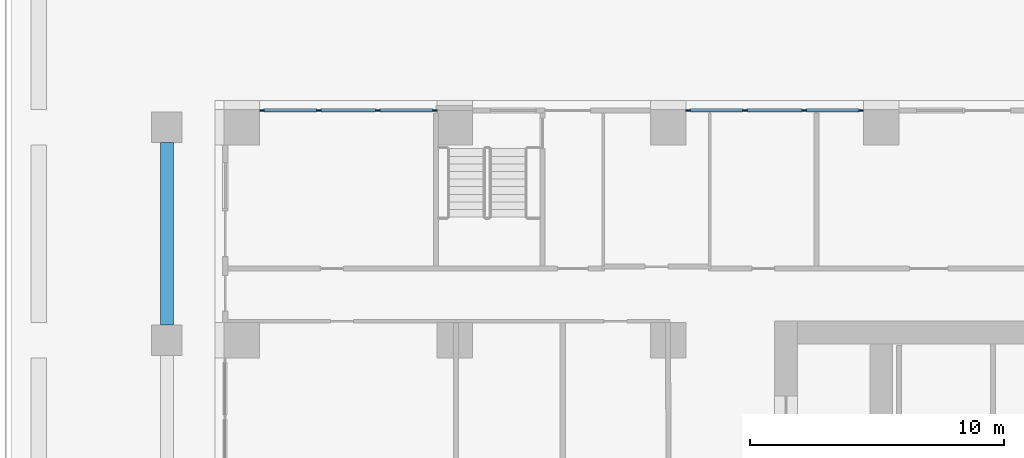
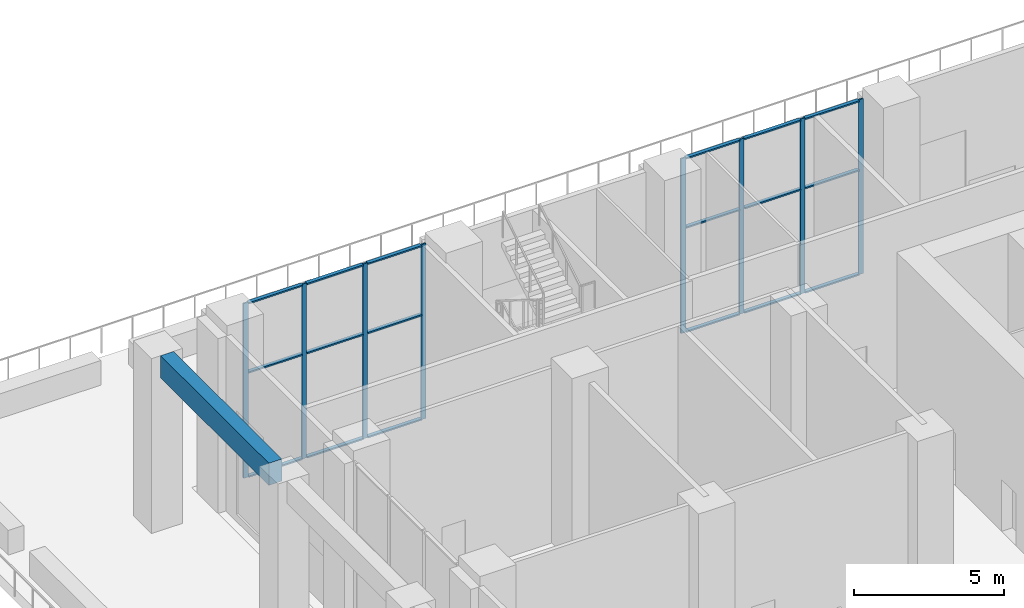
# One storey, part 11 of 53: 26 members, 1 beam, 2 elements without a shape of their own.
"""IFC4 building model written with IfcOpenShell, lengths in metres."""

from ifc_helpers import new_model, si_unit, direction, frame, origin, origin_2d, place, context, subcontext, project, spatial, rectangle, extrude, material, material_profile, profile_set, type_object, element, aggregate, save


model = new_model("IFC4")

# Units and contexts
model_context = context("Model", 3, precision=1e-05, world=origin(), true_north=direction((0.0, 1.0)))
body_context = subcontext(model_context, "Body", "Model", "MODEL_VIEW")
ifc_project = project(units=[si_unit("LENGTHUNIT", "METRE"), si_unit("AREAUNIT", "SQUARE_METRE"), si_unit("VOLUMEUNIT", "CUBIC_METRE"), si_unit("PLANEANGLEUNIT", "RADIAN"), si_unit("MASSUNIT", "GRAM", prefix="KILO")], contexts=[model_context])

# Site, building, storey
site_placement = place(None, origin())
site = spatial("IfcSite", under=ifc_project, at=site_placement, CompositionType="ELEMENT")
building_placement = place(site_placement, origin())
building = spatial("IfcBuilding", under=site, at=building_placement, Name="Vermilion Ogive Tower", CompositionType="ELEMENT")
storey_placement = place(building_placement, origin())
storey = spatial("IfcBuildingStorey", under=building, at=storey_placement, Name="L00", CompositionType="ELEMENT", Elevation=0.0)

# Curtain wall, members
ifc_material_1 = material(Name="Clear double glazing in aluminium frame", Category="aluminium")
curtain_wall_type = type_object("IfcCurtainWallType", Name="Curtain wall CW1", PredefinedType="NOTDEFINED", material=ifc_material_1)
curtain_wall_1_placement = place(storey_placement, origin())
curtain_wall_1 = element("IfcCurtainWall", 1, at=curtain_wall_1_placement, inside=storey, type_object=curtain_wall_type, Name="CW1 shopfront glazing N8", PredefinedType="NOTDEFINED")
ifc_material_2 = material(Name="Aluminium mullion", Category="aluminium")
ifc_material_profile_1 = material_profile(ifc_material_2, rectangle(XDim=0.06005859375, YDim=0.179931640625, at=origin_2d()), Name="AL 60x180")
ifc_profile_set_1 = profile_set([ifc_material_profile_1], Name="Aluminium mullion")
member_type_1 = type_object("IfcMemberType", Name="CW1 mullion 60x180", PredefinedType="MULLION", material=ifc_profile_set_1)
member_1_placement = place(storey_placement, frame((-9.18994140625, 30.06005859375, 0.0), z_axis=(0.0, 0.0, 1.0), x_axis=(0.0, -1.0, 0.0)))
member_1 = element("IfcMember", 2, at=member_1_placement, type_object=member_type_1, Name="CW1-N8 mullion 1", PredefinedType="MULLION", context=body_context, shape_type="SweptSolid", body=[
    extrude(rectangle(XDim=0.06005859375, YDim=0.179931640625, at=origin_2d()), origin(), (0.0, 0.0, 1.0), 7.10009765625),
])
member_2_placement = place(storey_placement, frame((-11.433349609375, 30.06005859375, 0.0), z_axis=(0.0, 0.0, 1.0), x_axis=(0.0, -1.0, 0.0)))
member_2 = element("IfcMember", 3, at=member_2_placement, type_object=member_type_1, Name="CW1-N8 mullion 2", PredefinedType="MULLION", context=body_context, shape_type="SweptSolid", body=[
    extrude(rectangle(XDim=0.06005859375, YDim=0.179931640625, at=origin_2d()), origin(), (0.0, 0.0, 1.0), 7.10009765625),
])
member_3_placement = place(storey_placement, frame((-13.7666015625, 30.06005859375, 0.0), z_axis=(0.0, 0.0, 1.0), x_axis=(0.0, -1.0, 0.0)))
member_3 = element("IfcMember", 4, at=member_3_placement, type_object=member_type_1, Name="CW1-N8 mullion 3", PredefinedType="MULLION", context=body_context, shape_type="SweptSolid", body=[
    extrude(rectangle(XDim=0.06005859375, YDim=0.179931640625, at=origin_2d()), origin(), (0.0, 0.0, 1.0), 7.10009765625),
])
member_4_placement = place(storey_placement, frame((-16.010009765625, 30.06005859375, 0.0), z_axis=(0.0, 0.0, 1.0), x_axis=(0.0, -1.0, 0.0)))
member_4 = element("IfcMember", 5, at=member_4_placement, type_object=member_type_1, Name="CW1-N8 mullion 4", PredefinedType="MULLION", context=body_context, shape_type="SweptSolid", body=[
    extrude(rectangle(XDim=0.06005859375, YDim=0.179931640625, at=origin_2d()), origin(), (0.0, 0.0, 1.0), 7.10009765625),
])

curtain_wall_2_placement = place(storey_placement, origin())
curtain_wall_2 = element("IfcCurtainWall", 6, at=curtain_wall_2_placement, inside=storey, type_object=curtain_wall_type, Name="CW1 shopfront glazing N10", PredefinedType="NOTDEFINED")
member_5_placement = place(storey_placement, frame((-25.989990234375, 30.06005859375, 0.0), z_axis=(0.0, 0.0, 1.0), x_axis=(0.0, -1.0, 0.0)))
member_5 = element("IfcMember", 7, at=member_5_placement, type_object=member_type_1, Name="CW1-N10 mullion 1", PredefinedType="MULLION", context=body_context, shape_type="SweptSolid", body=[
    extrude(rectangle(XDim=0.06005859375, YDim=0.179931640625, at=origin_2d()), origin(), (0.0, 0.0, 1.0), 7.10009765625),
])
member_6_placement = place(storey_placement, frame((-28.2333984375, 30.06005859375, 0.0), z_axis=(0.0, 0.0, 1.0), x_axis=(0.0, -1.0, 0.0)))
member_6 = element("IfcMember", 8, at=member_6_placement, type_object=member_type_1, Name="CW1-N10 mullion 2", PredefinedType="MULLION", context=body_context, shape_type="SweptSolid", body=[
    extrude(rectangle(XDim=0.06005859375, YDim=0.179931640625, at=origin_2d()), origin(), (0.0, 0.0, 1.0), 7.10009765625),
])
member_7_placement = place(storey_placement, frame((-30.566650390625, 30.06005859375, 0.0), z_axis=(0.0, 0.0, 1.0), x_axis=(0.0, -1.0, 0.0)))
member_7 = element("IfcMember", 9, at=member_7_placement, type_object=member_type_1, Name="CW1-N10 mullion 3", PredefinedType="MULLION", context=body_context, shape_type="SweptSolid", body=[
    extrude(rectangle(XDim=0.06005859375, YDim=0.179931640625, at=origin_2d()), origin(), (0.0, 0.0, 1.0), 7.10009765625),
])
member_8_placement = place(storey_placement, frame((-32.81005859375, 30.06005859375, 0.0), z_axis=(0.0, 0.0, 1.0), x_axis=(0.0, -1.0, 0.0)))
member_8 = element("IfcMember", 10, at=member_8_placement, type_object=member_type_1, Name="CW1-N10 mullion 4", PredefinedType="MULLION", context=body_context, shape_type="SweptSolid", body=[
    extrude(rectangle(XDim=0.06005859375, YDim=0.179931640625, at=origin_2d()), origin(), (0.0, 0.0, 1.0), 7.10009765625),
])

# Member
ifc_material_3 = material(Name="Aluminium transom", Category="aluminium")
ifc_material_profile_2 = material_profile(ifc_material_3, rectangle(XDim=0.139892578125, YDim=0.06005859375, at=origin_2d()), Name="AL 60x140")
ifc_profile_set_2 = profile_set([ifc_material_profile_2], Name="Aluminium transom")
member_type_2 = type_object("IfcMemberType", Name="CW1 transom 60x140", PredefinedType="USERDEFINED", material=ifc_profile_set_2)
member_9_placement = place(storey_placement, frame((-9.280029296875, 30.06005859375, 0.030029296875), z_axis=(-1.0, 0.0, 0.0), x_axis=(0.0, -1.0, 0.0)))
member_9 = element("IfcMember", 11, at=member_9_placement, type_object=member_type_2, Name="CW1-N8 transom 1.1", ObjectType="TRANSOM", PredefinedType="USERDEFINED", context=body_context, shape_type="SweptSolid", body=[
    extrude(rectangle(XDim=0.139892578125, YDim=0.06005859375, at=origin_2d()), origin(), (0.0, 0.0, 1.0), 2.063232421875),
])

member_10_placement = place(storey_placement, frame((-9.280029296875, 30.06005859375, 4.260009765625), z_axis=(-1.0, 0.0, 0.0), x_axis=(0.0, -1.0, 0.0)))
member_10 = element("IfcMember", 12, at=member_10_placement, type_object=member_type_2, Name="CW1-N8 transom 1.2", ObjectType="TRANSOM", PredefinedType="USERDEFINED", context=body_context, shape_type="SweptSolid", body=[
    extrude(rectangle(XDim=0.139892578125, YDim=0.06005859375, at=origin_2d()), origin(), (0.0, 0.0, 1.0), 2.063232421875),
])

member_11_placement = place(storey_placement, frame((-9.280029296875, 30.06005859375, 7.070068359375), z_axis=(-1.0, 0.0, 0.0), x_axis=(0.0, -1.0, 0.0)))
member_11 = element("IfcMember", 13, at=member_11_placement, type_object=member_type_2, Name="CW1-N8 transom 1.3", ObjectType="TRANSOM", PredefinedType="USERDEFINED", context=body_context, shape_type="SweptSolid", body=[
    extrude(rectangle(XDim=0.139892578125, YDim=0.06005859375, at=origin_2d()), origin(), (0.0, 0.0, 1.0), 2.063232421875),
])

member_12_placement = place(storey_placement, frame((-11.5234375, 30.06005859375, 0.030029296875), z_axis=(-1.0, 0.0, 0.0), x_axis=(0.0, -1.0, 0.0)))
member_12 = element("IfcMember", 14, at=member_12_placement, type_object=member_type_2, Name="CW1-N8 transom 2.1", ObjectType="TRANSOM", PredefinedType="USERDEFINED", context=body_context, shape_type="SweptSolid", body=[
    extrude(rectangle(XDim=0.139892578125, YDim=0.06005859375, at=origin_2d()), origin(), (0.0, 0.0, 1.0), 2.1533203125),
])

member_13_placement = place(storey_placement, frame((-11.5234375, 30.06005859375, 4.260009765625), z_axis=(-1.0, 0.0, 0.0), x_axis=(0.0, -1.0, 0.0)))
member_13 = element("IfcMember", 15, at=member_13_placement, type_object=member_type_2, Name="CW1-N8 transom 2.2", ObjectType="TRANSOM", PredefinedType="USERDEFINED", context=body_context, shape_type="SweptSolid", body=[
    extrude(rectangle(XDim=0.139892578125, YDim=0.06005859375, at=origin_2d()), origin(), (0.0, 0.0, 1.0), 2.1533203125),
])

member_14_placement = place(storey_placement, frame((-11.5234375, 30.06005859375, 7.070068359375), z_axis=(-1.0, 0.0, 0.0), x_axis=(0.0, -1.0, 0.0)))
member_14 = element("IfcMember", 16, at=member_14_placement, type_object=member_type_2, Name="CW1-N8 transom 2.3", ObjectType="TRANSOM", PredefinedType="USERDEFINED", context=body_context, shape_type="SweptSolid", body=[
    extrude(rectangle(XDim=0.139892578125, YDim=0.06005859375, at=origin_2d()), origin(), (0.0, 0.0, 1.0), 2.1533203125),
])

member_15_placement = place(storey_placement, frame((-13.856689453125, 30.06005859375, 0.030029296875), z_axis=(-1.0, 0.0, 0.0), x_axis=(0.0, -1.0, 0.0)))
member_15 = element("IfcMember", 17, at=member_15_placement, type_object=member_type_2, Name="CW1-N8 transom 3.1", ObjectType="TRANSOM", PredefinedType="USERDEFINED", context=body_context, shape_type="SweptSolid", body=[
    extrude(rectangle(XDim=0.139892578125, YDim=0.06005859375, at=origin_2d()), origin(), (0.0, 0.0, 1.0), 2.063232421875),
])

member_16_placement = place(storey_placement, frame((-13.856689453125, 30.06005859375, 4.260009765625), z_axis=(-1.0, 0.0, 0.0), x_axis=(0.0, -1.0, 0.0)))
member_16 = element("IfcMember", 18, at=member_16_placement, type_object=member_type_2, Name="CW1-N8 transom 3.2", ObjectType="TRANSOM", PredefinedType="USERDEFINED", context=body_context, shape_type="SweptSolid", body=[
    extrude(rectangle(XDim=0.139892578125, YDim=0.06005859375, at=origin_2d()), origin(), (0.0, 0.0, 1.0), 2.063232421875),
])

member_17_placement = place(storey_placement, frame((-13.856689453125, 30.06005859375, 7.070068359375), z_axis=(-1.0, 0.0, 0.0), x_axis=(0.0, -1.0, 0.0)))
member_17 = element("IfcMember", 19, at=member_17_placement, type_object=member_type_2, Name="CW1-N8 transom 3.3", ObjectType="TRANSOM", PredefinedType="USERDEFINED", context=body_context, shape_type="SweptSolid", body=[
    extrude(rectangle(XDim=0.139892578125, YDim=0.06005859375, at=origin_2d()), origin(), (0.0, 0.0, 1.0), 2.063232421875),
])

aggregate(curtain_wall_1, [member_1, member_2, member_3, member_4, member_9, member_10, member_11, member_12, member_13, member_14, member_15, member_16, member_17])

member_18_placement = place(storey_placement, frame((-26.080078125, 30.06005859375, 0.030029296875), z_axis=(-1.0, 0.0, 0.0), x_axis=(0.0, -1.0, 0.0)))
member_18 = element("IfcMember", 20, at=member_18_placement, type_object=member_type_2, Name="CW1-N10 transom 1.1", ObjectType="TRANSOM", PredefinedType="USERDEFINED", context=body_context, shape_type="SweptSolid", body=[
    extrude(rectangle(XDim=0.139892578125, YDim=0.06005859375, at=origin_2d()), origin(), (0.0, 0.0, 1.0), 2.063232421875),
])

member_19_placement = place(storey_placement, frame((-26.080078125, 30.06005859375, 4.260009765625), z_axis=(-1.0, 0.0, 0.0), x_axis=(0.0, -1.0, 0.0)))
member_19 = element("IfcMember", 21, at=member_19_placement, type_object=member_type_2, Name="CW1-N10 transom 1.2", ObjectType="TRANSOM", PredefinedType="USERDEFINED", context=body_context, shape_type="SweptSolid", body=[
    extrude(rectangle(XDim=0.139892578125, YDim=0.06005859375, at=origin_2d()), origin(), (0.0, 0.0, 1.0), 2.063232421875),
])

member_20_placement = place(storey_placement, frame((-26.080078125, 30.06005859375, 7.070068359375), z_axis=(-1.0, 0.0, 0.0), x_axis=(0.0, -1.0, 0.0)))
member_20 = element("IfcMember", 22, at=member_20_placement, type_object=member_type_2, Name="CW1-N10 transom 1.3", ObjectType="TRANSOM", PredefinedType="USERDEFINED", context=body_context, shape_type="SweptSolid", body=[
    extrude(rectangle(XDim=0.139892578125, YDim=0.06005859375, at=origin_2d()), origin(), (0.0, 0.0, 1.0), 2.063232421875),
])

member_21_placement = place(storey_placement, frame((-28.3232421875, 30.06005859375, 0.030029296875), z_axis=(-1.0, 0.0, 0.0), x_axis=(0.0, -1.0, 0.0)))
member_21 = element("IfcMember", 23, at=member_21_placement, type_object=member_type_2, Name="CW1-N10 transom 2.1", ObjectType="TRANSOM", PredefinedType="USERDEFINED", context=body_context, shape_type="SweptSolid", body=[
    extrude(rectangle(XDim=0.139892578125, YDim=0.06005859375, at=origin_2d()), origin(), (0.0, 0.0, 1.0), 2.1533203125),
])

member_22_placement = place(storey_placement, frame((-28.3232421875, 30.06005859375, 4.260009765625), z_axis=(-1.0, 0.0, 0.0), x_axis=(0.0, -1.0, 0.0)))
member_22 = element("IfcMember", 24, at=member_22_placement, type_object=member_type_2, Name="CW1-N10 transom 2.2", ObjectType="TRANSOM", PredefinedType="USERDEFINED", context=body_context, shape_type="SweptSolid", body=[
    extrude(rectangle(XDim=0.139892578125, YDim=0.06005859375, at=origin_2d()), origin(), (0.0, 0.0, 1.0), 2.1533203125),
])

member_23_placement = place(storey_placement, frame((-28.3232421875, 30.06005859375, 7.070068359375), z_axis=(-1.0, 0.0, 0.0), x_axis=(0.0, -1.0, 0.0)))
member_23 = element("IfcMember", 25, at=member_23_placement, type_object=member_type_2, Name="CW1-N10 transom 2.3", ObjectType="TRANSOM", PredefinedType="USERDEFINED", context=body_context, shape_type="SweptSolid", body=[
    extrude(rectangle(XDim=0.139892578125, YDim=0.06005859375, at=origin_2d()), origin(), (0.0, 0.0, 1.0), 2.1533203125),
])

member_24_placement = place(storey_placement, frame((-30.65673828125, 30.06005859375, 0.030029296875), z_axis=(-1.0, 0.0, 0.0), x_axis=(0.0, -1.0, 0.0)))
member_24 = element("IfcMember", 26, at=member_24_placement, type_object=member_type_2, Name="CW1-N10 transom 3.1", ObjectType="TRANSOM", PredefinedType="USERDEFINED", context=body_context, shape_type="SweptSolid", body=[
    extrude(rectangle(XDim=0.139892578125, YDim=0.06005859375, at=origin_2d()), origin(), (0.0, 0.0, 1.0), 2.063232421875),
])

member_25_placement = place(storey_placement, frame((-30.65673828125, 30.06005859375, 4.260009765625), z_axis=(-1.0, 0.0, 0.0), x_axis=(0.0, -1.0, 0.0)))
member_25 = element("IfcMember", 27, at=member_25_placement, type_object=member_type_2, Name="CW1-N10 transom 3.2", ObjectType="TRANSOM", PredefinedType="USERDEFINED", context=body_context, shape_type="SweptSolid", body=[
    extrude(rectangle(XDim=0.139892578125, YDim=0.06005859375, at=origin_2d()), origin(), (0.0, 0.0, 1.0), 2.063232421875),
])

member_26_placement = place(storey_placement, frame((-30.65673828125, 30.06005859375, 7.070068359375), z_axis=(-1.0, 0.0, 0.0), x_axis=(0.0, -1.0, 0.0)))
member_26 = element("IfcMember", 28, at=member_26_placement, type_object=member_type_2, Name="CW1-N10 transom 3.3", ObjectType="TRANSOM", PredefinedType="USERDEFINED", context=body_context, shape_type="SweptSolid", body=[
    extrude(rectangle(XDim=0.139892578125, YDim=0.06005859375, at=origin_2d()), origin(), (0.0, 0.0, 1.0), 2.063232421875),
])

aggregate(curtain_wall_2, [member_5, member_6, member_7, member_8, member_18, member_19, member_20, member_21, member_22, member_23, member_24, member_25, member_26])

# Beam
ifc_material_4 = material(Name="Concrete B45", Category="concrete")
ifc_material_profile_3 = material_profile(ifc_material_4, rectangle(XDim=0.5, YDim=0.89990234375, at=origin_2d()), Name="RC 500x900")
ifc_profile_set_3 = profile_set([ifc_material_profile_3], Name="Concrete B45")
beam_type = type_object("IfcBeamType", Name="Canopy fascia beam CF1 500x900", PredefinedType="BEAM", material=ifc_profile_set_3)
beam_placement = place(storey_placement, frame((-36.550048828125, 21.60009765625, 6.650146484375), z_axis=(0.0, 1.0, 0.0), x_axis=(-1.0, 0.0, 0.0)))
element("IfcBeam", 29, at=beam_placement, inside=storey, type_object=beam_type, Name="Canopy fascia beam 07", PredefinedType="BEAM", context=body_context, shape_type="SweptSolid", body=[
    extrude(rectangle(XDim=0.5, YDim=0.89990234375, at=origin_2d()), origin(), (0.0, 0.0, 1.0), 7.199951171875),
])

save(model, "model.ifc")
